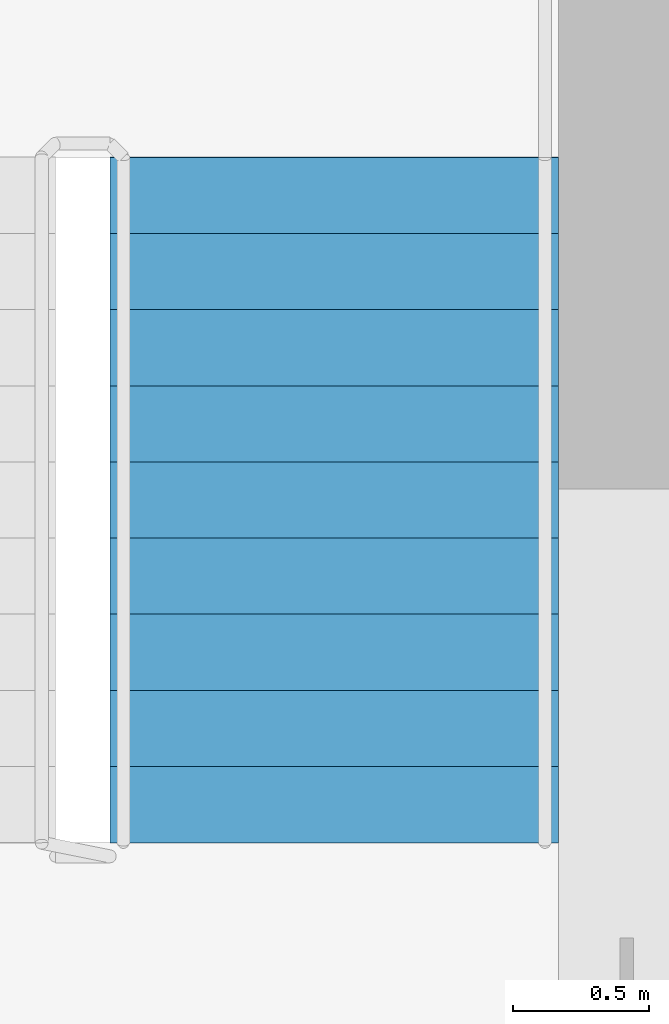
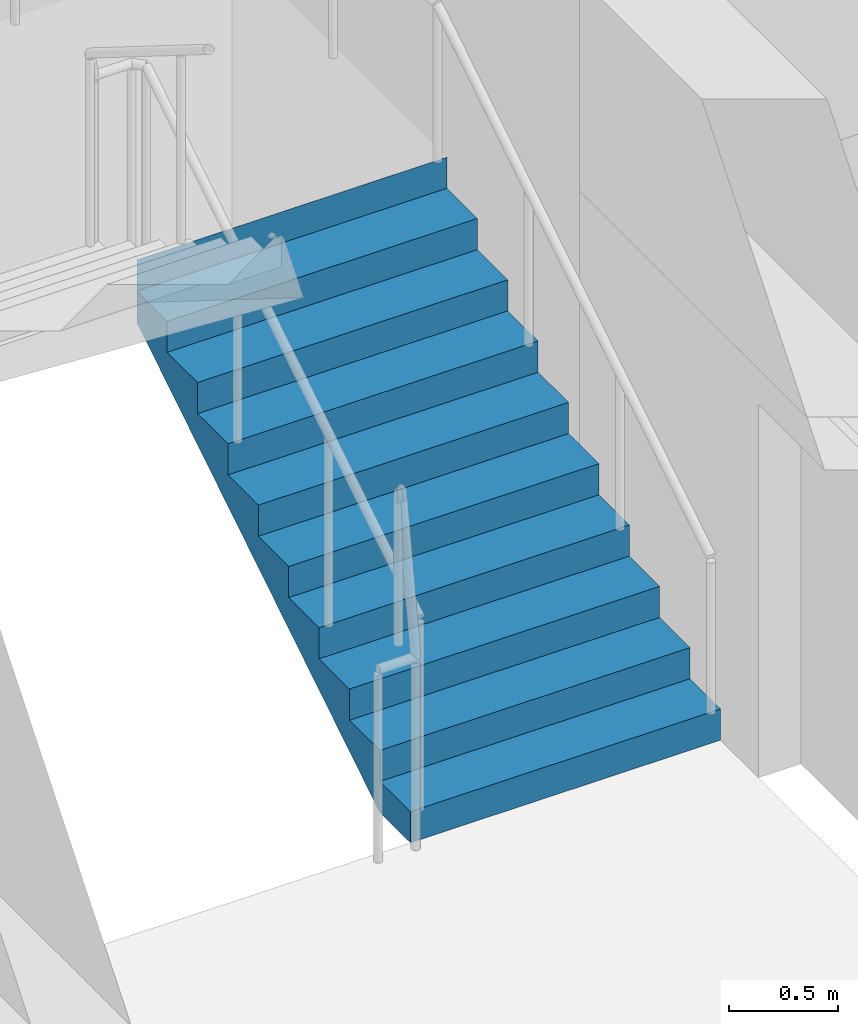
# One storey, part 10 of 12: 1 stair flight, 1 element without a shape of its own.
"""IFC4 building model written with IfcOpenShell, lengths in metres."""

from ifc_helpers import new_model, si_unit, direction, frame, origin, place, context, subcontext, project, spatial, polyline, outline, extrude, material, type_object, element, aggregate, save


model = new_model("IFC4")

# Units and contexts
model_context = context("Model", 3, precision=1e-05, world=origin(), true_north=direction((0.0, 1.0)))
body_context = subcontext(model_context, "Body", "Model", "MODEL_VIEW")
ifc_project = project(units=[si_unit("LENGTHUNIT", "METRE"), si_unit("AREAUNIT", "SQUARE_METRE"), si_unit("VOLUMEUNIT", "CUBIC_METRE"), si_unit("PLANEANGLEUNIT", "RADIAN"), si_unit("MASSUNIT", "GRAM", prefix="KILO")], contexts=[model_context])

# Site, building, storey
site_placement = place(None, origin())
site = spatial("IfcSite", under=ifc_project, at=site_placement, CompositionType="ELEMENT")
building_placement = place(site_placement, origin())
building = spatial("IfcBuilding", under=site, at=building_placement, Name="Tamorin Gate", CompositionType="ELEMENT")
storey_placement = place(building_placement, frame((0.0, 0.0, 219.699951171875)))
storey = spatial("IfcBuildingStorey", under=building, at=storey_placement, Name="L54", CompositionType="ELEMENT", Elevation=219.699951171875)

# Stair, stair flight
ifc_material = material(Name="Concrete C40/50", Category="concrete")
stair_type = type_object("IfcStairType", Name="Exit stair", PredefinedType="HALF_TURN_STAIR", material=ifc_material)
stair_placement = place(storey_placement, origin())
stair = element("IfcStair", 1, at=stair_placement, inside=storey, type_object=stair_type, Name="L54 stair ST2", PredefinedType="HALF_TURN_STAIR")
stair_flight_type = type_object("IfcStairFlightType", Name="Exit stair flight", PredefinedType="STRAIGHT", material=ifc_material)
stair_flight_placement = place(storey_placement, frame((33.675048828125, 77.0, 0.0), z_axis=(0.0, 0.0, 1.0), x_axis=(0.0, 1.0, 0.0)))
stair_flight = element("IfcStairFlight", 2, at=stair_flight_placement, type_object=stair_flight_type, Name="ST2 flight 1", NumberOfRisers=10, NumberOfTreads=9, PredefinedType="STRAIGHT", RiserHeight=0.175, TreadLength=0.28, context=body_context, shape_type="SweptSolid", body=[
    extrude(outline(polyline([(-0.00048828125, 0.0), (-0.00048828125, 0.001708984375), (-0.00048828125, 0.00341796875), (-0.00048828125, 0.005126953125), (-0.00048828125, 0.0068359375), (-0.00048828125, 0.008544921875), (-0.00048828125, 0.010498046875), (-0.00048828125, 0.01220703125), (-0.00048828125, 0.013916015625), (-0.00048828125, 0.015625), (-0.00048828125, 0.017333984375), (-0.00048828125, 0.01904296875), (-0.00048828125, 0.020751953125), (-0.00048828125, 0.0224609375), (-0.00048828125, 0.024169921875), (-0.00048828125, 0.02587890625), (-0.00048828125, 0.02783203125), (-0.00048828125, 0.029541015625), (-0.00048828125, 0.03125), (-0.00048828125, 0.032958984375), (-0.00048828125, 0.03466796875), (-0.00048828125, 0.036376953125), (-0.00048828125, 0.0380859375), (-0.00048828125, 0.039794921875), (-0.00048828125, 0.04150390625), (-0.00048828125, 0.043212890625), (-0.00048828125, 0.045166015625), (-0.00048828125, 0.046875), (-0.00048828125, 0.048583984375), (-0.00048828125, 0.05029296875), (-0.00048828125, 0.052001953125), (-0.00048828125, 0.0537109375), (-0.00048828125, 0.055419921875), (-0.00048828125, 0.05712890625), (-0.00048828125, 0.058837890625), (-0.00048828125, 0.060546875), (-0.00048828125, 0.062255859375), (-0.00048828125, 0.064208984375), (-0.00048828125, 0.06591796875), (-0.00048828125, 0.067626953125), (-0.00048828125, 0.0693359375), (-0.00048828125, 0.071044921875), (-0.00048828125, 0.07275390625), (-0.00048828125, 0.074462890625), (-0.00048828125, 0.076171875), (-0.00048828125, 0.077880859375), (-0.00048828125, 0.07958984375), (-0.00048828125, 0.08154296875), (-0.00048828125, 0.083251953125), (-0.00048828125, 0.0849609375), (-0.00048828125, 0.086669921875), (-0.00048828125, 0.08837890625), (-0.00048828125, 0.090087890625), (-0.00048828125, 0.091796875), (-0.00048828125, 0.093505859375), (-0.00048828125, 0.09521484375), (-0.00048828125, 0.096923828125), (-0.00048828125, 0.098876953125), (-0.00048828125, 0.1005859375), (-0.00048828125, 0.102294921875), (-0.00048828125, 0.10400390625), (-0.00048828125, 0.105712890625), (-0.00048828125, 0.107421875), (-0.00048828125, 0.109130859375), (-0.00048828125, 0.11083984375), (-0.00048828125, 0.112548828125), (-0.00048828125, 0.1142578125), (-0.00048828125, 0.1162109375), (-0.00048828125, 0.117919921875), (-0.00048828125, 0.11962890625), (-0.00048828125, 0.121337890625), (-0.00048828125, 0.123046875), (-0.00048828125, 0.124755859375), (-0.00048828125, 0.12646484375), (-0.00048828125, 0.128173828125), (-0.00048828125, 0.1298828125), (-0.00048828125, 0.131591796875), (-0.00048828125, 0.13330078125), (-0.00048828125, 0.13525390625), (-0.00048828125, 0.136962890625), (-0.00048828125, 0.138671875), (-0.00048828125, 0.140380859375), (-0.00048828125, 0.14208984375), (-0.00048828125, 0.143798828125), (-0.00048828125, 0.1455078125), (-0.00048828125, 0.147216796875), (-0.00048828125, 0.14892578125), (-0.00048828125, 0.150634765625), (-0.00048828125, 0.152587890625), (-0.00048828125, 0.154296875), (-0.00048828125, 0.156005859375), (-0.00048828125, 0.15771484375), (-0.00048828125, 0.159423828125), (-0.00048828125, 0.1611328125), (-0.00048828125, 0.162841796875), (-0.00048828125, 0.16455078125), (-0.00048828125, 0.166259765625), (-0.00048828125, 0.16796875), (-0.00048828125, 0.169921875), (-0.00048828125, 0.171630859375), (-0.00048828125, 0.17333984375), (-0.00048828125, 0.175048828125), (0.280029296875, 0.175048828125), (0.280029296875, 0.35009765625), (0.56005859375, 0.35009765625), (0.56005859375, 0.52490234375), (0.840087890625, 0.52490234375), (0.840087890625, 0.699951171875), (1.1201171875, 0.699951171875), (1.1201171875, 0.875), (1.39990234375, 0.875), (1.39990234375, 1.050048828125), (1.679931640625, 1.050048828125), (1.679931640625, 1.22509765625), (1.9599609375, 1.22509765625), (1.9599609375, 1.39990234375), (2.239990234375, 1.39990234375), (2.239990234375, 1.574951171875), (2.52001953125, 1.574951171875), (2.52001953125, 1.75), (2.5205078125, 1.75), (2.5205078125, 1.74658203125), (2.5205078125, 1.742919921875), (2.5205078125, 1.739501953125), (2.5205078125, 1.736083984375), (2.5205078125, 1.732666015625), (2.5205078125, 1.72900390625), (2.5205078125, 1.7255859375), (2.5205078125, 1.72216796875), (2.5205078125, 1.71875), (2.5205078125, 1.715087890625), (2.5205078125, 1.711669921875), (2.5205078125, 1.708251953125), (2.5205078125, 1.704833984375), (2.5205078125, 1.701171875), (2.5205078125, 1.69775390625), (2.5205078125, 1.6943359375), (2.5205078125, 1.690673828125), (2.5205078125, 1.687255859375), (2.5205078125, 1.683837890625), (2.5205078125, 1.680419921875), (2.5205078125, 1.6767578125), (2.5205078125, 1.67333984375), (2.5205078125, 1.669921875), (2.5205078125, 1.66650390625), (2.5205078125, 1.662841796875), (2.5205078125, 1.659423828125), (2.5205078125, 1.656005859375), (2.5205078125, 1.652587890625), (2.5205078125, 1.64892578125), (2.5205078125, 1.6455078125), (2.5205078125, 1.64208984375), (2.5205078125, 1.638427734375), (2.5205078125, 1.635009765625), (2.5205078125, 1.631591796875), (2.5205078125, 1.628173828125), (2.5205078125, 1.62451171875), (2.5205078125, 1.62109375), (2.5205078125, 1.61767578125), (2.5205078125, 1.6142578125), (2.5205078125, 1.610595703125), (2.5205078125, 1.607177734375), (2.5205078125, 1.603759765625), (2.5205078125, 1.600341796875), (2.5205078125, 1.5966796875), (2.5205078125, 1.59326171875), (2.5205078125, 1.58984375), (2.5205078125, 1.58642578125), (2.5205078125, 1.582763671875), (2.5205078125, 1.579345703125), (2.5205078125, 1.575927734375), (2.5205078125, 1.572265625), (2.5205078125, 1.56884765625), (2.5205078125, 1.5654296875), (2.5205078125, 1.56201171875), (2.5205078125, 1.558349609375), (2.5205078125, 1.554931640625), (2.5205078125, 1.551513671875), (2.5205078125, 1.548095703125), (2.5205078125, 1.54443359375), (2.5205078125, 1.541015625), (2.5205078125, 1.53759765625), (2.5205078125, 1.5341796875), (2.5205078125, 1.530517578125), (2.5205078125, 1.527099609375), (2.5205078125, 1.523681640625), (2.5205078125, 1.52001953125), (2.5205078125, 1.5166015625), (2.5205078125, 1.51318359375), (2.5205078125, 1.509765625), (2.5205078125, 1.506103515625), (2.5205078125, 1.502685546875), (2.5205078125, 1.499267578125), (2.5205078125, 1.495849609375), (2.5205078125, 1.4921875), (2.5205078125, 1.48876953125), (2.5205078125, 1.4853515625), (2.5205078125, 1.48193359375), (2.5205078125, 1.478271484375), (2.5205078125, 1.474853515625), (2.5205078125, 1.471435546875), (2.5205078125, 1.4677734375), (2.5205078125, 1.46435546875), (2.5205078125, 1.4609375), (2.5205078125, 1.45751953125), (2.5205078125, 1.453857421875), (2.5205078125, 1.450439453125), (2.5205078125, 1.447021484375), (2.5205078125, 1.443603515625), (2.5205078125, 1.43994140625), (2.5205078125, 1.4365234375), (2.5205078125, 1.43310546875), (2.5205078125, 1.4296875), (2.5205078125, 1.426025390625), (2.5205078125, 1.422607421875), (2.5205078125, 1.419189453125), (2.5205078125, 1.41552734375), (2.5205078125, 1.412109375), (2.5205078125, 1.40869140625), (2.5205078125, 1.4052734375), (2.5205078125, 1.401611328125), (2.5205078125, 1.398193359375), (2.52001953125, 1.398193359375), (0.28271484375, 0.0), (-0.00048828125, 0.0)])), frame((0.0, 0.824951171875, 0.0), z_axis=(0.0, -1.0, 0.0), x_axis=(1.0, 0.0, 0.0)), (0.0, 0.0, 1.0), 1.64990234375),
])
aggregate(stair, [stair_flight])

save(model, "model.ifc")
